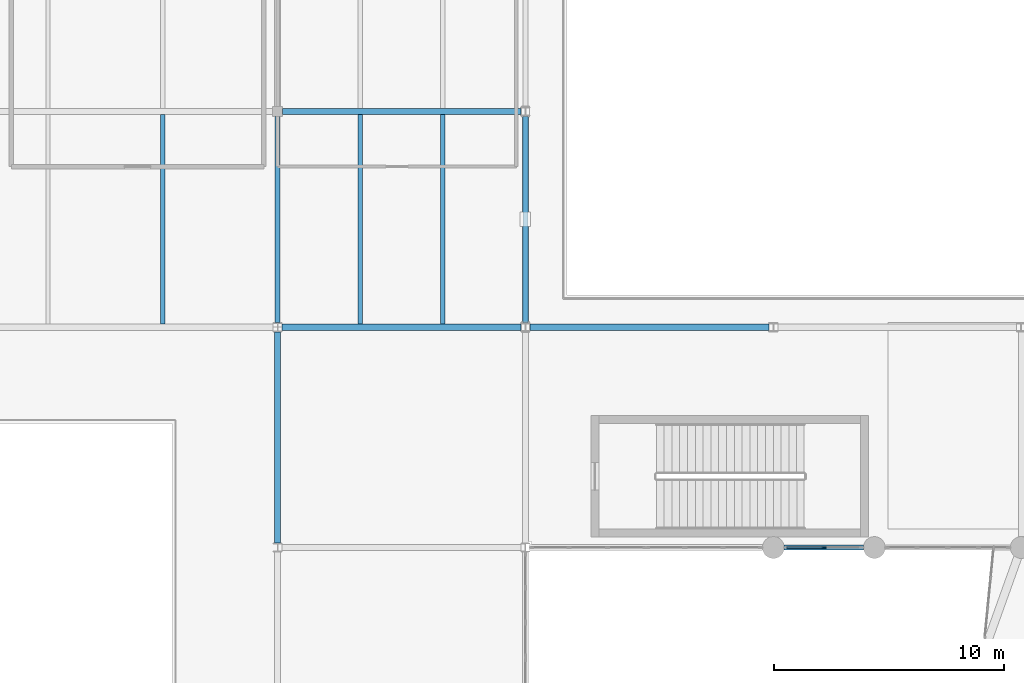
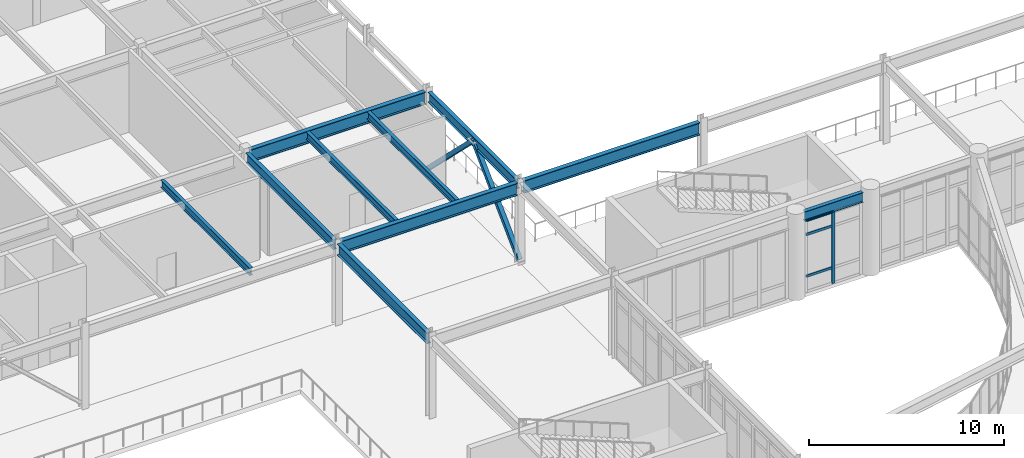
# One storey, part 25 of 72: 10 beams, 6 members, 1 element without a shape of its own.
"""IFC4 building model written with IfcOpenShell, lengths in metres."""

from ifc_helpers import new_model, si_unit, direction, frame, origin, origin_2d, place, context, subcontext, project, spatial, rectangle, hollow_rectangle, i_section, extrude, material, material_profile, profile_set, type_object, element, aggregate, save


model = new_model("IFC4")

# Units and contexts
model_context = context("Model", 3, precision=1e-05, world=origin(), true_north=direction((0.0, 1.0)))
body_context = subcontext(model_context, "Body", "Model", "MODEL_VIEW")
ifc_project = project(units=[si_unit("LENGTHUNIT", "METRE"), si_unit("AREAUNIT", "SQUARE_METRE"), si_unit("VOLUMEUNIT", "CUBIC_METRE"), si_unit("PLANEANGLEUNIT", "RADIAN"), si_unit("MASSUNIT", "GRAM", prefix="KILO")], contexts=[model_context])

# Site, building, storey
site_placement = place(None, origin())
site = spatial("IfcSite", under=ifc_project, at=site_placement, CompositionType="ELEMENT")
building_placement = place(site_placement, origin())
building = spatial("IfcBuilding", under=site, at=building_placement, Name="Veldera Park Congress Hotel", CompositionType="ELEMENT")
storey_placement = place(building_placement, frame((0.0, 0.0, 5.39990234375)))
storey = spatial("IfcBuildingStorey", under=building, at=storey_placement, Name="L01", CompositionType="ELEMENT", Elevation=5.39990234375)

# Beams
ifc_material_1 = material(Name="Steel ASTM A992 Gr.50", Category="steel")
ifc_material_profile_1 = material_profile(ifc_material_1, i_section(OverallWidth=0.22900390625, OverallDepth=0.612060546875, WebThickness=0.011962890625, FlangeThickness=0.01953125, at=origin_2d()), Name="W24X84")
ifc_profile_set_1 = profile_set([ifc_material_profile_1], Name="Steel ASTM A992 Gr.50")
beam_type_1 = type_object("IfcBeamType", Name="BM-W24", PredefinedType="BEAM", material=ifc_profile_set_1)
beam_1_placement = place(storey_placement, frame((9.675048828125, 17.39990234375, 4.82421875), z_axis=(1.0, 0.0, 0.0), x_axis=(0.0, 1.0, 0.0)))
element("IfcBeam", 1, at=beam_1_placement, inside=storey, type_object=beam_type_1, Name="L01 Girder BM-W24 600", PredefinedType="BEAM", context=body_context, shape_type="SweptSolid", body=[
    extrude(i_section(OverallWidth=0.22900390625, OverallDepth=0.612060546875, WebThickness=0.011962890625, FlangeThickness=0.01953125, at=origin_2d()), origin(), (0.0, 0.0, 1.0), 3.449951171875),
])
ifc_material_profile_2 = material_profile(ifc_material_1, i_section(OverallWidth=0.22998046875, OverallDepth=0.616943359375, WebThickness=0.01318359375, FlangeThickness=0.022216796875, at=origin_2d()), Name="W24X94")
ifc_profile_set_2 = profile_set([ifc_material_profile_2], Name="Steel ASTM A992 Gr.50")
beam_type_2 = type_object("IfcBeamType", Name="BM-W24B", PredefinedType="BEAM", material=ifc_profile_set_2)
beam_2_placement = place(storey_placement, frame((-12.39990234375, 27.199462890625, 4.821533203125), z_axis=(0.0, 1.0, 0.0), x_axis=(-1.0, 0.0, 0.0)))
element("IfcBeam", 2, at=beam_2_placement, inside=storey, type_object=beam_type_2, Name="L01 Girder BM-W24B 697", PredefinedType="BEAM", context=body_context, shape_type="SweptSolid", body=[
    extrude(i_section(OverallWidth=0.22998046875, OverallDepth=0.616943359375, WebThickness=0.01318359375, FlangeThickness=0.022216796875, at=origin_2d()), origin(), (0.0, 0.0, 1.0), 8.9755859375),
])
beam_3_placement = place(storey_placement, frame((-1.60009765625, 27.1875, 4.821533203125), z_axis=(0.0, 1.0, 0.0), x_axis=(-1.0, 0.0, 0.0)))
element("IfcBeam", 3, at=beam_3_placement, inside=storey, type_object=beam_type_2, Name="L01 Girder BM-W24B 705", PredefinedType="BEAM", context=body_context, shape_type="SweptSolid", body=[
    extrude(i_section(OverallWidth=0.22998046875, OverallDepth=0.616943359375, WebThickness=0.01318359375, FlangeThickness=0.022216796875, at=origin_2d()), origin(), (0.0, 0.0, 1.0), 9.02197265625),
])
ifc_material_profile_3 = material_profile(ifc_material_1, i_section(OverallWidth=0.256103515625, OverallDepth=0.693115234375, WebThickness=0.014404296875, FlangeThickness=0.023681640625, at=origin_2d()), Name="W27X114")
ifc_profile_set_3 = profile_set([ifc_material_profile_3], Name="Steel ASTM A992 Gr.50")
beam_type_3 = type_object("IfcBeamType", Name="BM-W27", PredefinedType="BEAM", material=ifc_profile_set_3)
beam_4_placement = place(storey_placement, frame((-12.39990234375, 17.599609375, 4.78369140625), z_axis=(0.0, 1.0, 0.0), x_axis=(-1.0, 0.0, 0.0)))
element("IfcBeam", 4, at=beam_4_placement, inside=storey, type_object=beam_type_3, Name="L01 Girder BM-W27 696", PredefinedType="BEAM", context=body_context, shape_type="SweptSolid", body=[
    extrude(i_section(OverallWidth=0.256103515625, OverallDepth=0.693115234375, WebThickness=0.014404296875, FlangeThickness=0.023681640625, at=origin_2d()), origin(), (0.0, 0.0, 1.0), 9.200927734375),
])
ifc_material_profile_4 = material_profile(ifc_material_1, i_section(OverallWidth=0.26708984375, OverallDepth=0.779052734375, WebThickness=0.0166015625, FlangeThickness=0.030029296875, at=origin_2d()), Name="W30X148")
ifc_profile_set_4 = profile_set([ifc_material_profile_4], Name="Steel ASTM A992 Gr.50")
beam_type_4 = type_object("IfcBeamType", Name="BM-W30", PredefinedType="BEAM", material=ifc_profile_set_4)
beam_5_placement = place(storey_placement, frame((-12.199462890625, 27.0, 4.740478515625), z_axis=(1.0, 0.0, 0.0), x_axis=(0.0, 1.0, 0.0)))
element("IfcBeam", 5, at=beam_5_placement, inside=storey, type_object=beam_type_4, Name="L01 Girder BM-W30 616", PredefinedType="BEAM", context=body_context, shape_type="SweptSolid", body=[
    extrude(i_section(OverallWidth=0.26708984375, OverallDepth=0.779052734375, WebThickness=0.0166015625, FlangeThickness=0.030029296875, at=origin_2d()), origin(), (0.0, 0.0, 1.0), 10.40234375),
])
beam_6_placement = place(storey_placement, frame((-1.403076171875, 27.0, 4.740478515625), z_axis=(1.0, 0.0, 0.0), x_axis=(0.0, 1.0, 0.0)))
element("IfcBeam", 6, at=beam_6_placement, inside=storey, type_object=beam_type_4, Name="L01 Girder BM-W30 617", PredefinedType="BEAM", context=body_context, shape_type="SweptSolid", body=[
    extrude(i_section(OverallWidth=0.26708984375, OverallDepth=0.779052734375, WebThickness=0.0166015625, FlangeThickness=0.030029296875, at=origin_2d()), origin(), (0.0, 0.0, 1.0), 10.404541015625),
])
beam_7_placement = place(storey_placement, frame((-12.175048828125, 36.39990234375, 4.740478515625), z_axis=(1.0, 0.0, 0.0), x_axis=(0.0, 1.0, 0.0)))
element("IfcBeam", 7, at=beam_7_placement, inside=storey, type_object=beam_type_4, Name="L01 Girder BM-W30 630", PredefinedType="BEAM", context=body_context, shape_type="SweptSolid", body=[
    extrude(i_section(OverallWidth=0.26708984375, OverallDepth=0.779052734375, WebThickness=0.0166015625, FlangeThickness=0.030029296875, at=origin_2d()), origin(), (0.0, 0.0, 1.0), 10.376953125),
])

# Members
ifc_material_2 = material(Name="Steel ASTM A500 Gr.C", Category="steel")
ifc_material_profile_5 = material_profile(ifc_material_2, hollow_rectangle(XDim=0.25, YDim=0.25, WallThickness=0.01611328125, at=origin_2d()), Name="HSS250X250X16")
ifc_profile_set_5 = profile_set([ifc_material_profile_5], Name="Steel ASTM A500 Gr.C")
member_type_1 = type_object("IfcMemberType", Name="BRC-HSS250", PredefinedType="BRACE", material=ifc_profile_set_5)
for number, where, z_axis, x_axis, name in (
    (8, (-1.60009765625, 27.0, 0.2001953125), (0.0, 0.713044974114, 0.701118295933), (-1.0, 0.0, 0.0), "L01 Chevron Brace 11A"),
    (9, (-1.60009765625, 36.39990234375, 0.2001953125), (0.0, -0.713044974114, 0.701118295933), (1.0, 0.0, 0.0), "L01 Chevron Brace 11B"),
):
    element("IfcMember", number, at=place(storey_placement, frame(where, z_axis=z_axis, x_axis=x_axis)), inside=storey, type_object=member_type_1, Name=name, PredefinedType="BRACE", context=body_context, shape_type="SweptSolid", body=[
        extrude(hollow_rectangle(XDim=0.25, YDim=0.25, WallThickness=0.01611328125, at=origin_2d()), origin(), (0.0, 0.0, 1.0), 6.59130859375),
    ])

# Curtain wall, members
ifc_material_3 = material(Name="Low-E Triple Insulating Glass Unit (SHGC 0.22)", Category="glass")
curtain_wall_type = type_object("IfcCurtainWallType", Name="CW-POD", PredefinedType="NOTDEFINED", material=ifc_material_3)
curtain_wall_placement = place(storey_placement, origin())
curtain_wall = element("IfcCurtainWall", 10, at=curtain_wall_placement, inside=storey, type_object=curtain_wall_type, Name="L01 Curtain Wall CW3-V2S-L01-031", PredefinedType="NOTDEFINED")
ifc_material_4 = material(Name="Anodised Aluminium Alloy 6063-T6", Category="aluminium")
ifc_material_profile_6 = material_profile(ifc_material_4, rectangle(XDim=0.074951171875, YDim=0.199951171875, at=origin_2d()), Name="ALU 75x200")
ifc_profile_set_6 = profile_set([ifc_material_profile_6], Name="Anodised Aluminium Alloy 6063-T6")
member_type_2 = type_object("IfcMemberType", Name="CWM-200", PredefinedType="MULLION", material=ifc_profile_set_6)
member_1_placement = place(storey_placement, frame((11.39990234375, 17.39990234375, 0.0), z_axis=(0.0, 0.0, 1.0), x_axis=(0.0, 1.0, 0.0)))
member_1 = element("IfcMember", 11, at=member_1_placement, type_object=member_type_2, Name="CW-POD mullion 2", PredefinedType="MULLION", context=body_context, shape_type="SweptSolid", body=[
    extrude(rectangle(XDim=0.074951171875, YDim=0.199951171875, at=origin_2d()), origin(), (0.0, 0.0, 1.0), 4.51318359375),
])
ifc_material_profile_7 = material_profile(ifc_material_4, rectangle(XDim=0.074951171875, YDim=0.14990234375, at=origin_2d()), Name="ALU 75x150")
ifc_profile_set_7 = profile_set([ifc_material_profile_7], Name="Anodised Aluminium Alloy 6063-T6")
member_type_3 = type_object("IfcMemberType", Name="CWT-150", PredefinedType="USERDEFINED", material=ifc_profile_set_7)
member_2_placement = place(storey_placement, frame((9.7900390625, 17.39990234375, 1.0), z_axis=(1.0, 0.0, 0.0), x_axis=(0.0, 1.0, 0.0)))
member_2 = element("IfcMember", 12, at=member_2_placement, type_object=member_type_3, Name="CW-POD transom 1.2", ObjectType="TRANSOM", PredefinedType="USERDEFINED", context=body_context, shape_type="SweptSolid", body=[
    extrude(rectangle(XDim=0.074951171875, YDim=0.14990234375, at=origin_2d()), origin(), (0.0, 0.0, 1.0), 1.572509765625),
])
member_3_placement = place(storey_placement, frame((9.7900390625, 17.39990234375, 3.613037109375), z_axis=(1.0, 0.0, 0.0), x_axis=(0.0, 1.0, 0.0)))
member_3 = element("IfcMember", 13, at=member_3_placement, type_object=member_type_3, Name="CW-POD transom 1.3", ObjectType="TRANSOM", PredefinedType="USERDEFINED", context=body_context, shape_type="SweptSolid", body=[
    extrude(rectangle(XDim=0.074951171875, YDim=0.14990234375, at=origin_2d()), origin(), (0.0, 0.0, 1.0), 1.572509765625),
])
member_4_placement = place(storey_placement, frame((9.7900390625, 17.39990234375, 4.4755859375), z_axis=(1.0, 0.0, 0.0), x_axis=(0.0, 1.0, 0.0)))
member_4 = element("IfcMember", 14, at=member_4_placement, type_object=member_type_3, Name="CW-POD transom 1.4", ObjectType="TRANSOM", PredefinedType="USERDEFINED", context=body_context, shape_type="SweptSolid", body=[
    extrude(rectangle(XDim=0.074951171875, YDim=0.14990234375, at=origin_2d()), origin(), (0.0, 0.0, 1.0), 1.572509765625),
])
aggregate(curtain_wall, [member_1, member_2, member_3, member_4])

# Beams
ifc_material_profile_8 = material_profile(ifc_material_1, i_section(OverallWidth=0.19189453125, OverallDepth=0.462890625, WebThickness=0.010498046875, FlangeThickness=0.017578125, at=origin_2d()), Name="W18X60")
ifc_profile_set_8 = profile_set([ifc_material_profile_8], Name="Steel ASTM A992 Gr.50")
beam_type_5 = type_object("IfcBeamType", Name="JST-W18C", PredefinedType="JOIST", material=ifc_profile_set_8)
for number, where, z_axis, x_axis, name in (
    (15, (-17.39990234375, 27.133544921875, 4.898681640625), (0.0, 1.0, 0.0), (-1.0, 0.0, 0.0), "L01 Floor Joist JST-W18C 786"),
    (16, (-8.800048828125, 27.133544921875, 4.898681640625), (0.0, 1.0, 0.0), (-1.0, 0.0, 0.0), "L01 Floor Joist JST-W18C 787"),
    (17, (-5.199951171875, 27.133544921875, 4.898681640625), (0.0, 1.0, 0.0), (-1.0, 0.0, 0.0), "L01 Floor Joist JST-W18C 788"),
):
    element("IfcBeam", number, at=place(storey_placement, frame(where, z_axis=z_axis, x_axis=x_axis)), inside=storey, type_object=beam_type_5, Name=name, PredefinedType="JOIST", context=body_context, shape_type="SweptSolid", body=[
        extrude(i_section(OverallWidth=0.19189453125, OverallDepth=0.462890625, WebThickness=0.010498046875, FlangeThickness=0.017578125, at=origin_2d()), origin(), (0.0, 0.0, 1.0), 9.133056640625),
    ])

save(model, "model.ifc")
